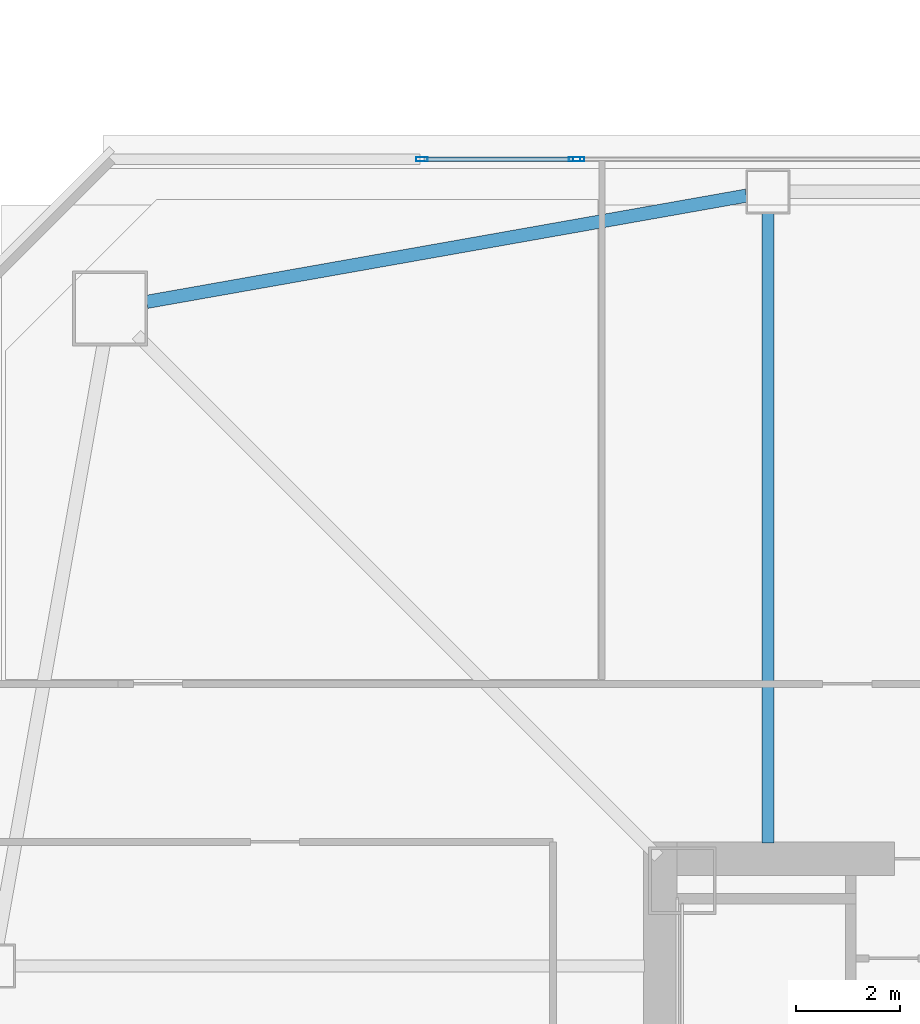
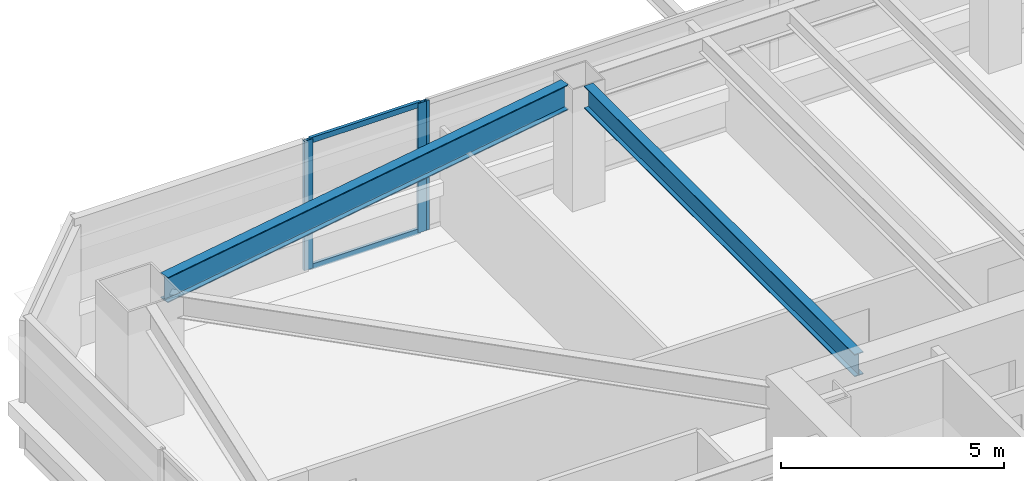
# One storey, part 13 of 44: 5 members, 2 beams, 2 elements without a shape of their own.
"""IFC4 building model written with IfcOpenShell, lengths in metres."""

from ifc_helpers import new_model, si_unit, direction, frame, origin, origin_2d, place, context, subcontext, project, spatial, hollow_rectangle, i_section, extrude, material, material_profile, profile_set, type_object, element, aggregate, save


model = new_model("IFC4")

# Units and contexts
model_context = context("Model", 3, precision=1e-05, world=origin(), true_north=direction((0.0, 1.0)))
body_context = subcontext(model_context, "Body", "Model", "MODEL_VIEW")
ifc_project = project(units=[si_unit("LENGTHUNIT", "METRE"), si_unit("AREAUNIT", "SQUARE_METRE"), si_unit("VOLUMEUNIT", "CUBIC_METRE"), si_unit("PLANEANGLEUNIT", "RADIAN"), si_unit("MASSUNIT", "GRAM", prefix="KILO")], contexts=[model_context])

# Site, building, storey
site_placement = place(None, origin())
site = spatial("IfcSite", under=ifc_project, at=site_placement, CompositionType="ELEMENT")
building_placement = place(site_placement, origin())
building = spatial("IfcBuilding", under=site, at=building_placement, Name="Tashvorn Skyway Center", CompositionType="ELEMENT")
storey_placement = place(building_placement, frame((0.0, 0.0, 74.300048828125)))
storey = spatial("IfcBuildingStorey", under=building, at=storey_placement, Name="L19", CompositionType="ELEMENT", Elevation=74.300048828125)

# Beams
ifc_material_1 = material(Name="Steel ASTM A992 Grade 50", Category="steel")
ifc_material_profile_1 = material_profile(ifc_material_1, i_section(OverallWidth=0.22998046875, OverallDepth=0.616943359375, WebThickness=0.01318359375, FlangeThickness=0.022216796875, at=origin_2d()), Name="W24X94")
ifc_profile_set_1 = profile_set([ifc_material_profile_1], Name="Steel ASTM A992 Grade 50")
beam_type_1 = type_object("IfcBeamType", Name="BM-BEAM-W24X94", PredefinedType="BEAM", material=ifc_profile_set_1)
beam_1_placement = place(storey_placement, frame((36.60009765625, 51.929931640625, 3.04150390625), z_axis=(0.0, -1.0, 0.0), x_axis=(1.0, 0.0, 0.0)))
element("IfcBeam", 1, at=beam_1_placement, inside=storey, type_object=beam_type_1, Name="Tower 1 L19 Primary Floor Girder FC-N2", PredefinedType="BEAM", context=body_context, shape_type="SweptSolid", body=[
    extrude(i_section(OverallWidth=0.22998046875, OverallDepth=0.616943359375, WebThickness=0.01318359375, FlangeThickness=0.022216796875, at=origin_2d()), origin(), (0.0, 0.0, 1.0), 12.14990234375),
])
ifc_material_profile_2 = material_profile(ifc_material_1, i_section(OverallWidth=0.256103515625, OverallDepth=0.693115234375, WebThickness=0.014404296875, FlangeThickness=0.023681640625, at=origin_2d()), Name="W27X114")
ifc_profile_set_2 = profile_set([ifc_material_profile_2], Name="Steel ASTM A992 Grade 50")
beam_type_2 = type_object("IfcBeamType", Name="BM-SPANDREL-W27X114", PredefinedType="SPANDREL", material=ifc_profile_set_2)
beam_2_placement = place(storey_placement, frame((36.1865234375, 52.276611328125, 3.00341796875), z_axis=(-0.98466816531, -0.174437966698, 0.0), x_axis=(0.174437966698, -0.98466816531, 0.0)))
element("IfcBeam", 2, at=beam_2_placement, inside=storey, type_object=beam_type_2, Name="Tower 1 L19 Spandrel Beam 09", PredefinedType="SPANDREL", context=body_context, shape_type="SweptSolid", body=[
    extrude(i_section(OverallWidth=0.256103515625, OverallDepth=0.693115234375, WebThickness=0.014404296875, FlangeThickness=0.023681640625, at=origin_2d()), origin(), (0.0, 0.0, 1.0), 11.7578125),
])

# Curtain wall, members
ifc_material_2 = material(Name="Thermally broken bronze-anodized aluminium 6063-T6", Category="aluminium")
curtain_wall_type = type_object("IfcCurtainWallType", Name="CW-CW-Z2", PredefinedType="NOTDEFINED", material=ifc_material_2)
curtain_wall_1_placement = place(storey_placement, origin())
curtain_wall_1 = element("IfcCurtainWall", 3, at=curtain_wall_1_placement, inside=storey, type_object=curtain_wall_type, Name="Tower 1 L19 North Unitised Curtain Wall Glazing Group 1", PredefinedType="NOTDEFINED")
ifc_material_profile_3 = material_profile(ifc_material_2, hollow_rectangle(XDim=0.080078125, YDim=0.219970703125, WallThickness=0.0048828125, at=origin_2d()), Name="ALU-MULL-80x220")
ifc_profile_set_3 = profile_set([ifc_material_profile_3], Name="Thermally broken bronze-anodized aluminium 6063-T6")
member_type_1 = type_object("IfcMemberType", Name="CWM-CW-Z2", PredefinedType="MULLION", material=ifc_profile_set_3)
member_1_placement = place(storey_placement, frame((29.919921875, 52.97998046875, 0.0), z_axis=(0.0, 0.0, 1.0), x_axis=(0.0, 1.0, 0.0)))
member_1 = element("IfcMember", 4, at=member_1_placement, type_object=member_type_1, Name="CW-Z2 mullion 1", PredefinedType="MULLION", context=body_context, shape_type="SweptSolid", body=[
    extrude(hollow_rectangle(XDim=0.080078125, YDim=0.219970703125, WallThickness=0.0048828125, at=origin_2d()), origin(), (0.0, 0.0, 1.0), 3.550048828125),
])
member_2_placement = place(storey_placement, frame((32.8701171875, 52.97998046875, 0.0), z_axis=(0.0, 0.0, 1.0), x_axis=(0.0, 1.0, 0.0)))
member_2 = element("IfcMember", 5, at=member_2_placement, type_object=member_type_1, Name="CW-Z2 mullion 2", PredefinedType="MULLION", context=body_context, shape_type="SweptSolid", body=[
    extrude(hollow_rectangle(XDim=0.080078125, YDim=0.219970703125, WallThickness=0.0048828125, at=origin_2d()), origin(), (0.0, 0.0, 1.0), 3.550048828125),
])

# Curtain wall, member
curtain_wall_2_placement = place(storey_placement, origin())
curtain_wall_2 = element("IfcCurtainWall", 6, at=curtain_wall_2_placement, inside=storey, type_object=curtain_wall_type, Name="Tower 1 L19 North Unitised Curtain Wall Glazing Group 2", PredefinedType="NOTDEFINED")
member_3_placement = place(storey_placement, frame((32.949951171875, 52.97998046875, 0.0), z_axis=(0.0, 0.0, 1.0), x_axis=(0.0, 1.0, 0.0)))
member_3 = element("IfcMember", 7, at=member_3_placement, type_object=member_type_1, Name="CW-Z2 mullion 1", PredefinedType="MULLION", context=body_context, shape_type="SweptSolid", body=[
    extrude(hollow_rectangle(XDim=0.080078125, YDim=0.219970703125, WallThickness=0.0048828125, at=origin_2d()), origin(), (0.0, 0.0, 1.0), 3.550048828125),
])
aggregate(curtain_wall_2, [member_3])

# Member
ifc_material_profile_4 = material_profile(ifc_material_2, hollow_rectangle(XDim=0.080078125, YDim=0.14990234375, WallThickness=0.00439453125, at=origin_2d()), Name="ALU-TRAN-80x150")
ifc_profile_set_4 = profile_set([ifc_material_profile_4], Name="Thermally broken bronze-anodized aluminium 6063-T6")
member_type_2 = type_object("IfcMemberType", Name="CWT-CW-Z2", PredefinedType="USERDEFINED", material=ifc_profile_set_4)
member_4_placement = place(storey_placement, frame((29.9599609375, 52.97998046875, 0.0400390625), z_axis=(1.0, 0.0, 0.0), x_axis=(0.0, 1.0, 0.0)))
member_4 = element("IfcMember", 8, at=member_4_placement, type_object=member_type_2, Name="CW-Z2 transom 1.1", ObjectType="TRANSOM", PredefinedType="USERDEFINED", context=body_context, shape_type="SweptSolid", body=[
    extrude(hollow_rectangle(XDim=0.080078125, YDim=0.14990234375, WallThickness=0.00439453125, at=origin_2d()), origin(), (0.0, 0.0, 1.0), 2.8701171875),
])

member_5_placement = place(storey_placement, frame((29.9599609375, 52.97998046875, 3.510009765625), z_axis=(1.0, 0.0, 0.0), x_axis=(0.0, 1.0, 0.0)))
member_5 = element("IfcMember", 9, at=member_5_placement, type_object=member_type_2, Name="CW-Z2 transom 1.2", ObjectType="TRANSOM", PredefinedType="USERDEFINED", context=body_context, shape_type="SweptSolid", body=[
    extrude(hollow_rectangle(XDim=0.080078125, YDim=0.14990234375, WallThickness=0.00439453125, at=origin_2d()), origin(), (0.0, 0.0, 1.0), 2.8701171875),
])

aggregate(curtain_wall_1, [member_1, member_2, member_4, member_5])

save(model, "model.ifc")
